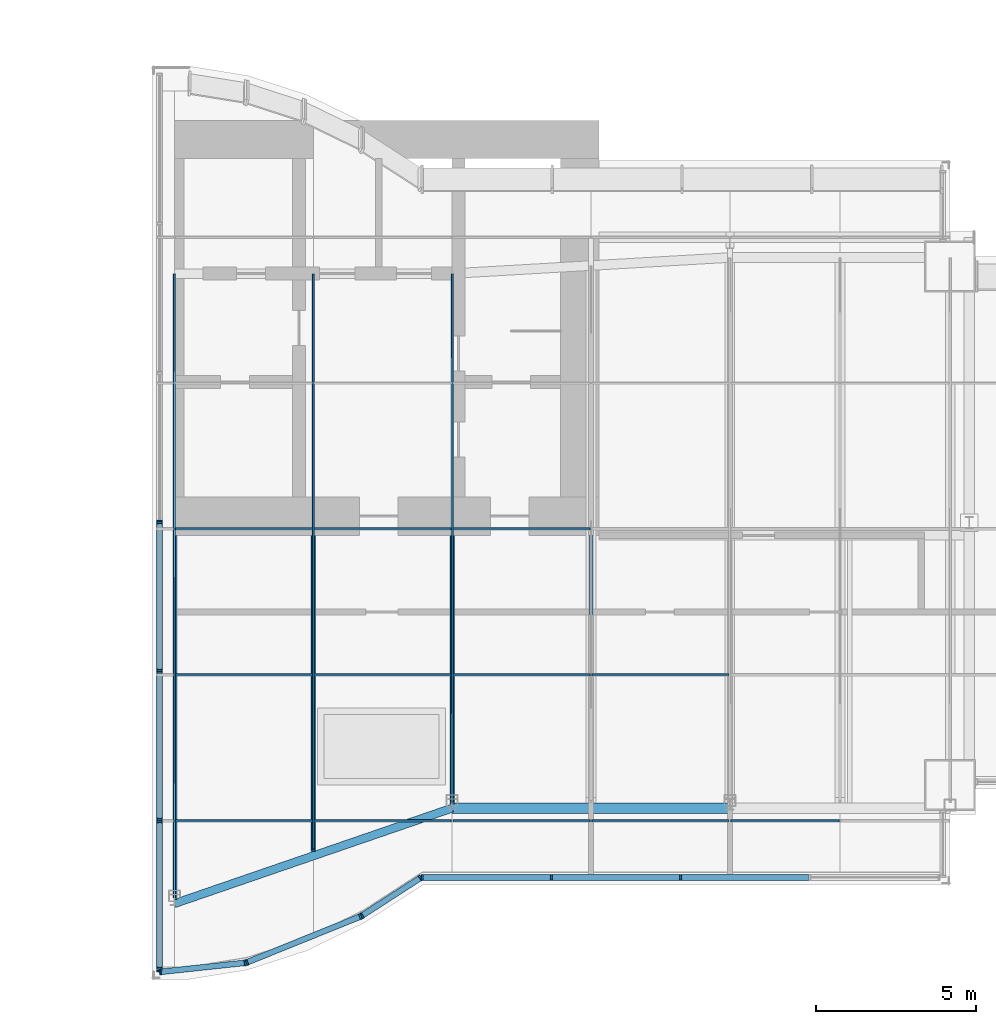
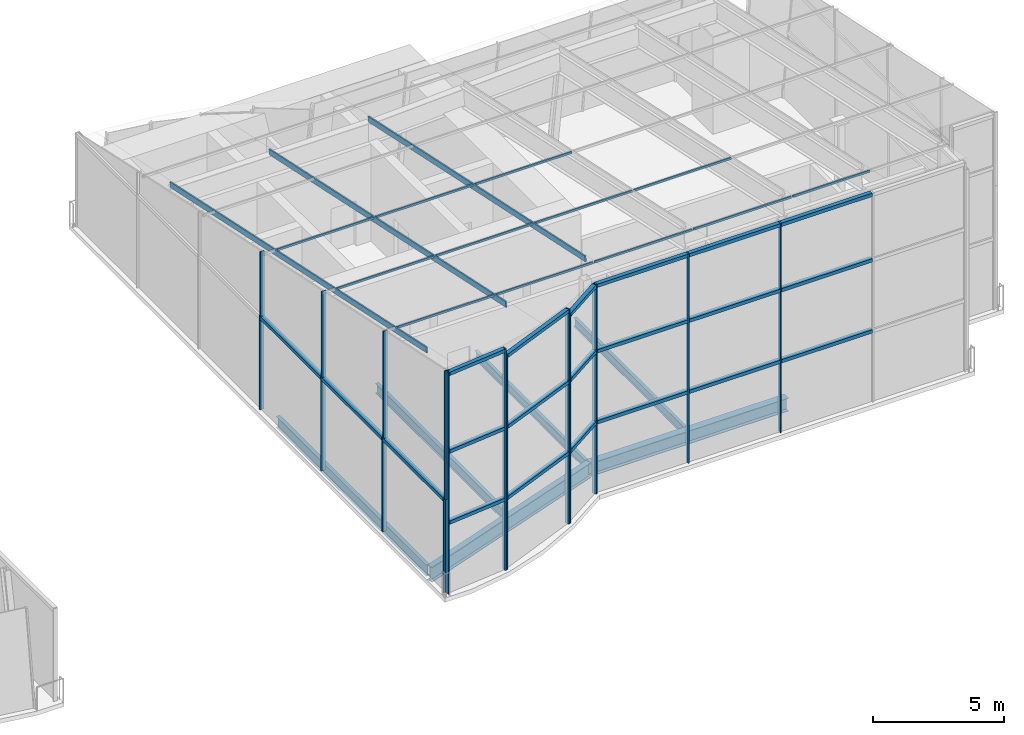
# One storey, part 5 of 17: 53 members, 6 beams, 5 elements without a shape of their own.
"""IFC4 building model written with IfcOpenShell, lengths in metres."""

from ifc_helpers import new_model, si_unit, direction, frame, origin, origin_2d, place, context, subcontext, project, spatial, rectangle, i_section, extrude, material, material_profile, profile_set, type_object, element, aggregate, save


model = new_model("IFC4")

# Units and contexts
model_context = context("Model", 3, precision=1e-05, world=origin(), true_north=direction((0.0, 1.0)))
body_context = subcontext(model_context, "Body", "Model", "MODEL_VIEW")
ifc_project = project(units=[si_unit("LENGTHUNIT", "METRE"), si_unit("AREAUNIT", "SQUARE_METRE"), si_unit("VOLUMEUNIT", "CUBIC_METRE"), si_unit("PLANEANGLEUNIT", "RADIAN"), si_unit("MASSUNIT", "GRAM", prefix="KILO")], contexts=[model_context])

# Site, building, storey
site_placement = place(None, origin())
site = spatial("IfcSite", under=ifc_project, at=site_placement, CompositionType="ELEMENT")
building_placement = place(site_placement, origin())
building = spatial("IfcBuilding", under=site, at=building_placement, Name="Bicima Exchange Tower", CompositionType="ELEMENT")
storey_placement = place(building_placement, frame((0.0, 0.0, 356.89990234375)))
storey = spatial("IfcBuildingStorey", under=building, at=storey_placement, Name="L80", CompositionType="ELEMENT", Elevation=356.89990234375)

# Curtain wall, members
ifc_material_1 = material(Name="Anodised bronze aluminium", Category="aluminium")
curtain_wall_type = type_object("IfcCurtainWallType", Name="Crown glass wall", PredefinedType="NOTDEFINED", material=ifc_material_1)
curtain_wall_1_placement = place(storey_placement, origin())
curtain_wall_1 = element("IfcCurtainWall", 1, at=curtain_wall_1_placement, inside=storey, type_object=curtain_wall_type, Name="Crown glass wall L80 run 8", PredefinedType="NOTDEFINED")
ifc_material_profile_1 = material_profile(ifc_material_1, rectangle(XDim=0.179931640625, YDim=0.06005859375, at=origin_2d()))
ifc_profile_set_1 = profile_set([ifc_material_profile_1], Name="Anodised bronze aluminium")
member_type_1 = type_object("IfcMemberType", Name="Crown glass wall mullion 60 x 180", PredefinedType="MULLION", material=ifc_profile_set_1)
member_1_placement = place(storey_placement, frame((8.22998046875, -12.559326171875, 0.0), z_axis=(0.0, 0.0, 1.0), x_axis=(1.0, 0.0, 0.0)))
member_1 = element("IfcMember", 2, at=member_1_placement, type_object=member_type_1, Name="Crown glass wall mullion 4", PredefinedType="MULLION", context=body_context, shape_type="SweptSolid", body=[
    extrude(rectangle(XDim=0.179931640625, YDim=0.06005859375, at=origin_2d()), origin(), (0.0, 0.0, 1.0), 4.36962890625),
])
member_2_placement = place(storey_placement, frame((8.22998046875, -17.225341796875, 0.0), z_axis=(0.0, 0.0, 1.0), x_axis=(1.0, 0.0, 0.0)))
member_2 = element("IfcMember", 3, at=member_2_placement, type_object=member_type_1, Name="Crown glass wall mullion 5", PredefinedType="MULLION", context=body_context, shape_type="SweptSolid", body=[
    extrude(rectangle(XDim=0.179931640625, YDim=0.06005859375, at=origin_2d()), origin(), (0.0, 0.0, 1.0), 4.36962890625),
])
member_3_placement = place(storey_placement, frame((8.22998046875, -21.89111328125, 0.0), z_axis=(0.0, 0.0, 1.0), x_axis=(1.0, 0.0, 0.0)))
member_3 = element("IfcMember", 4, at=member_3_placement, type_object=member_type_1, Name="Crown glass wall mullion 6", PredefinedType="MULLION", context=body_context, shape_type="SweptSolid", body=[
    extrude(rectangle(XDim=0.179931640625, YDim=0.06005859375, at=origin_2d()), origin(), (0.0, 0.0, 1.0), 4.36962890625),
])
member_4_placement = place(storey_placement, frame((8.22998046875, -26.556884765625, 0.0), z_axis=(0.0, 0.0, 1.0), x_axis=(1.0, 0.0, 0.0)))
member_4 = element("IfcMember", 5, at=member_4_placement, type_object=member_type_1, Name="Crown glass wall mullion 7", PredefinedType="MULLION", context=body_context, shape_type="SweptSolid", body=[
    extrude(rectangle(XDim=0.179931640625, YDim=0.06005859375, at=origin_2d()), origin(), (0.0, 0.0, 1.0), 4.36962890625),
])

curtain_wall_2_placement = place(storey_placement, origin())
curtain_wall_2 = element("IfcCurtainWall", 6, at=curtain_wall_2_placement, inside=storey, type_object=curtain_wall_type, Name="Crown glass wall L80 run 9", PredefinedType="NOTDEFINED")
member_5_placement = place(storey_placement, frame((8.259765625, -26.673828125, 0.0), z_axis=(0.0, 0.0, 1.0), x_axis=(-0.106371668434, 0.994326439433, 0.0)))
member_5 = element("IfcMember", 7, at=member_5_placement, type_object=member_type_1, Name="Crown glass wall mullion 1", PredefinedType="MULLION", context=body_context, shape_type="SweptSolid", body=[
    extrude(rectangle(XDim=0.179931640625, YDim=0.06005859375, at=origin_2d()), origin(), (0.0, 0.0, 1.0), 10.290283203125),
])
member_6_placement = place(storey_placement, frame((10.916015625, -26.3896484375, 0.0), z_axis=(0.0, 0.0, 1.0), x_axis=(-0.106371668434, 0.994326439433, 0.0)))
member_6 = element("IfcMember", 8, at=member_6_placement, type_object=member_type_1, Name="Crown glass wall mullion 2", PredefinedType="MULLION", context=body_context, shape_type="SweptSolid", body=[
    extrude(rectangle(XDim=0.179931640625, YDim=0.06005859375, at=origin_2d()), origin(), (0.0, 0.0, 1.0), 10.290283203125),
])
member_7_placement = place(storey_placement, frame((10.973876953125, -26.375244140625, 0.0), z_axis=(0.0, 0.0, 1.0), x_axis=(-0.374705304, 0.92714396679, 0.0)))
member_7 = element("IfcMember", 9, at=member_7_placement, type_object=member_type_1, Name="Crown glass wall mullion 1", PredefinedType="MULLION", context=body_context, shape_type="SweptSolid", body=[
    extrude(rectangle(XDim=0.179931640625, YDim=0.06005859375, at=origin_2d()), origin(), (0.0, 0.0, 1.0), 9.980224609375),
])
member_8_placement = place(storey_placement, frame((14.52587890625, -24.939697265625, 0.0), z_axis=(0.0, 0.0, 1.0), x_axis=(-0.374705304, 0.92714396679, 0.0)))
member_8 = element("IfcMember", 10, at=member_8_placement, type_object=member_type_1, Name="Crown glass wall mullion 2", PredefinedType="MULLION", context=body_context, shape_type="SweptSolid", body=[
    extrude(rectangle(XDim=0.179931640625, YDim=0.06005859375, at=origin_2d()), origin(), (0.0, 0.0, 1.0), 9.980224609375),
])
member_9_placement = place(storey_placement, frame((14.578857421875, -24.912109375, 0.0), z_axis=(0.0, 0.0, 1.0), x_axis=(-0.542910648791, 0.839790466384, 0.0)))
member_9 = element("IfcMember", 11, at=member_9_placement, type_object=member_type_1, Name="Crown glass wall mullion 1", PredefinedType="MULLION", context=body_context, shape_type="SweptSolid", body=[
    extrude(rectangle(XDim=0.179931640625, YDim=0.06005859375, at=origin_2d()), origin(), (0.0, 0.0, 1.0), 9.72216796875),
])
member_10_placement = place(storey_placement, frame((16.406982421875, -23.730224609375, 0.0), z_axis=(0.0, 0.0, 1.0), x_axis=(-0.542910648791, 0.839790466384, 0.0)))
member_10 = element("IfcMember", 12, at=member_10_placement, type_object=member_type_1, Name="Crown glass wall mullion 2", PredefinedType="MULLION", context=body_context, shape_type="SweptSolid", body=[
    extrude(rectangle(XDim=0.179931640625, YDim=0.06005859375, at=origin_2d()), origin(), (0.0, 0.0, 1.0), 9.72216796875),
])

curtain_wall_3_placement = place(storey_placement, origin())
curtain_wall_3 = element("IfcCurtainWall", 13, at=curtain_wall_3_placement, inside=storey, type_object=curtain_wall_type, Name="Crown glass wall L80 run 12", PredefinedType="NOTDEFINED")
member_11_placement = place(storey_placement, frame((16.462158203125, -23.714111328125, 0.0), z_axis=(0.0, 0.0, 1.0), x_axis=(0.0, 1.0, 0.0)))
member_11 = element("IfcMember", 14, at=member_11_placement, type_object=member_type_1, Name="Crown glass wall mullion 1", PredefinedType="MULLION", context=body_context, shape_type="SweptSolid", body=[
    extrude(rectangle(XDim=0.179931640625, YDim=0.06005859375, at=origin_2d()), origin(), (0.0, 0.0, 1.0), 9.72216796875),
])
member_12_placement = place(storey_placement, frame((20.509033203125, -23.714111328125, 0.0), z_axis=(0.0, 0.0, 1.0), x_axis=(0.0, 1.0, 0.0)))
member_12 = element("IfcMember", 15, at=member_12_placement, type_object=member_type_1, Name="Crown glass wall mullion 2", PredefinedType="MULLION", context=body_context, shape_type="SweptSolid", body=[
    extrude(rectangle(XDim=0.179931640625, YDim=0.06005859375, at=origin_2d()), origin(), (0.0, 0.0, 1.0), 9.72216796875),
])
member_13_placement = place(storey_placement, frame((24.55615234375, -23.714111328125, 0.0), z_axis=(0.0, 0.0, 1.0), x_axis=(0.0, 1.0, 0.0)))
member_13 = element("IfcMember", 16, at=member_13_placement, type_object=member_type_1, Name="Crown glass wall mullion 3", PredefinedType="MULLION", context=body_context, shape_type="SweptSolid", body=[
    extrude(rectangle(XDim=0.179931640625, YDim=0.06005859375, at=origin_2d()), origin(), (0.0, 0.0, 1.0), 9.72216796875),
])

curtain_wall_4_placement = place(storey_placement, origin())
curtain_wall_4 = element("IfcCurtainWall", 17, at=curtain_wall_4_placement, inside=storey, type_object=curtain_wall_type, Name="Gable glazing east 8", PredefinedType="NOTDEFINED")
member_14_placement = place(storey_placement, frame((8.22998046875, -12.6044921875, 4.36962890625), z_axis=(0.0, 0.0, 1.0), x_axis=(1.0, 0.0, 0.0)))
member_14 = element("IfcMember", 18, at=member_14_placement, type_object=member_type_1, Name="Gable glazing mullion 4", PredefinedType="MULLION", context=body_context, shape_type="SweptSolid", body=[
    extrude(rectangle(XDim=0.179931640625, YDim=0.06005859375, at=origin_2d()), origin(), (0.0, 0.0, 1.0), 2.9912109375),
])
member_15_placement = place(storey_placement, frame((8.22998046875, -17.285400390625, 4.36962890625), z_axis=(0.0, 0.0, 1.0), x_axis=(1.0, 0.0, 0.0)))
member_15 = element("IfcMember", 19, at=member_15_placement, type_object=member_type_1, Name="Gable glazing mullion 5", PredefinedType="MULLION", context=body_context, shape_type="SweptSolid", body=[
    extrude(rectangle(XDim=0.179931640625, YDim=0.06005859375, at=origin_2d()), origin(), (0.0, 0.0, 1.0), 3.986083984375),
])
member_16_placement = place(storey_placement, frame((8.22998046875, -21.96630859375, 4.36962890625), z_axis=(0.0, 0.0, 1.0), x_axis=(1.0, 0.0, 0.0)))
member_16 = element("IfcMember", 20, at=member_16_placement, type_object=member_type_1, Name="Gable glazing mullion 6", PredefinedType="MULLION", context=body_context, shape_type="SweptSolid", body=[
    extrude(rectangle(XDim=0.179931640625, YDim=0.06005859375, at=origin_2d()), origin(), (0.0, 0.0, 1.0), 4.98095703125),
])
member_17_placement = place(storey_placement, frame((8.22998046875, -26.64697265625, 4.36962890625), z_axis=(0.0, 0.0, 1.0), x_axis=(1.0, 0.0, 0.0)))
member_17 = element("IfcMember", 21, at=member_17_placement, type_object=member_type_1, Name="Gable glazing mullion 7", PredefinedType="MULLION", context=body_context, shape_type="SweptSolid", body=[
    extrude(rectangle(XDim=0.179931640625, YDim=0.06005859375, at=origin_2d()), origin(), (0.0, 0.0, 1.0), 5.97607421875),
])
aggregate(curtain_wall_4, [member_14, member_15, member_16, member_17])

# Member
ifc_material_profile_2 = material_profile(ifc_material_1, rectangle(XDim=0.179931640625, YDim=0.159912109375, at=origin_2d()))
ifc_profile_set_2 = profile_set([ifc_material_profile_2], Name="Anodised bronze aluminium")
member_type_2 = type_object("IfcMemberType", Name="Crown glass wall transom 160 x 180", PredefinedType="USERDEFINED", material=ifc_profile_set_2)
member_18_placement = place(storey_placement, frame((8.22998046875, -12.58935546875, 4.28955078125), z_axis=(0.0, -1.0, 0.0), x_axis=(1.0, 0.0, 0.0)))
member_18 = element("IfcMember", 22, at=member_18_placement, type_object=member_type_2, Name="Crown glass wall transom 4.1", ObjectType="TRANSOM", PredefinedType="USERDEFINED", context=body_context, shape_type="SweptSolid", body=[
    extrude(rectangle(XDim=0.179931640625, YDim=0.159912109375, at=origin_2d()), origin(), (0.0, 0.0, 1.0), 4.60595703125),
])

member_19_placement = place(storey_placement, frame((8.22998046875, -17.25537109375, 4.28955078125), z_axis=(0.0, -1.0, 0.0), x_axis=(1.0, 0.0, 0.0)))
member_19 = element("IfcMember", 23, at=member_19_placement, type_object=member_type_2, Name="Crown glass wall transom 5.1", ObjectType="TRANSOM", PredefinedType="USERDEFINED", context=body_context, shape_type="SweptSolid", body=[
    extrude(rectangle(XDim=0.179931640625, YDim=0.159912109375, at=origin_2d()), origin(), (0.0, 0.0, 1.0), 4.605712890625),
])

member_20_placement = place(storey_placement, frame((8.22998046875, -21.921142578125, 4.28955078125), z_axis=(0.0, -1.0, 0.0), x_axis=(1.0, 0.0, 0.0)))
member_20 = element("IfcMember", 24, at=member_20_placement, type_object=member_type_2, Name="Crown glass wall transom 6.1", ObjectType="TRANSOM", PredefinedType="USERDEFINED", context=body_context, shape_type="SweptSolid", body=[
    extrude(rectangle(XDim=0.179931640625, YDim=0.159912109375, at=origin_2d()), origin(), (0.0, 0.0, 1.0), 4.60595703125),
])

aggregate(curtain_wall_1, [member_1, member_2, member_3, member_4, member_18, member_19, member_20])

member_21_placement = place(storey_placement, frame((8.289794921875, -26.670654296875, 3.300048828125), z_axis=(0.994323646517, 0.106397772425, 0.0), x_axis=(-0.106397772425, 0.994323646517, 0.0)))
member_21 = element("IfcMember", 25, at=member_21_placement, type_object=member_type_2, Name="Crown glass wall transom 1.1", ObjectType="TRANSOM", PredefinedType="USERDEFINED", context=body_context, shape_type="SweptSolid", body=[
    extrude(rectangle(XDim=0.179931640625, YDim=0.159912109375, at=origin_2d()), origin(), (0.0, 0.0, 1.0), 2.611328125),
])

member_22_placement = place(storey_placement, frame((8.289794921875, -26.670654296875, 6.60009765625), z_axis=(0.994323646517, 0.106397772425, 0.0), x_axis=(-0.106397772425, 0.994323646517, 0.0)))
member_22 = element("IfcMember", 26, at=member_22_placement, type_object=member_type_2, Name="Crown glass wall transom 1.2", ObjectType="TRANSOM", PredefinedType="USERDEFINED", context=body_context, shape_type="SweptSolid", body=[
    extrude(rectangle(XDim=0.179931640625, YDim=0.159912109375, at=origin_2d()), origin(), (0.0, 0.0, 1.0), 2.611328125),
])

member_23_placement = place(storey_placement, frame((8.289794921875, -26.670654296875, 10.210205078125), z_axis=(0.994323646517, 0.106397772425, 0.0), x_axis=(-0.106397772425, 0.994323646517, 0.0)))
member_23 = element("IfcMember", 27, at=member_23_placement, type_object=member_type_2, Name="Crown glass wall transom 1.3", ObjectType="TRANSOM", PredefinedType="USERDEFINED", context=body_context, shape_type="SweptSolid", body=[
    extrude(rectangle(XDim=0.179931640625, YDim=0.159912109375, at=origin_2d()), origin(), (0.0, 0.0, 1.0), 2.611328125),
])

member_24_placement = place(storey_placement, frame((11.001708984375, -26.364013671875, 3.300048828125), z_axis=(0.927140215882, 0.374714584842, 0.0), x_axis=(-0.374714584842, 0.927140215882, 0.0)))
member_24 = element("IfcMember", 28, at=member_24_placement, type_object=member_type_2, Name="Crown glass wall transom 1.1", ObjectType="TRANSOM", PredefinedType="USERDEFINED", context=body_context, shape_type="SweptSolid", body=[
    extrude(rectangle(XDim=0.179931640625, YDim=0.159912109375, at=origin_2d()), origin(), (0.0, 0.0, 1.0), 3.77099609375),
])

member_25_placement = place(storey_placement, frame((11.001708984375, -26.364013671875, 6.60009765625), z_axis=(0.927140215882, 0.374714584842, 0.0), x_axis=(-0.374714584842, 0.927140215882, 0.0)))
member_25 = element("IfcMember", 29, at=member_25_placement, type_object=member_type_2, Name="Crown glass wall transom 1.2", ObjectType="TRANSOM", PredefinedType="USERDEFINED", context=body_context, shape_type="SweptSolid", body=[
    extrude(rectangle(XDim=0.179931640625, YDim=0.159912109375, at=origin_2d()), origin(), (0.0, 0.0, 1.0), 3.77099609375),
])

member_26_placement = place(storey_placement, frame((11.001708984375, -26.364013671875, 9.900390625), z_axis=(0.927140215882, 0.374714584842, 0.0), x_axis=(-0.374714584842, 0.927140215882, 0.0)))
member_26 = element("IfcMember", 30, at=member_26_placement, type_object=member_type_2, Name="Crown glass wall transom 1.3", ObjectType="TRANSOM", PredefinedType="USERDEFINED", context=body_context, shape_type="SweptSolid", body=[
    extrude(rectangle(XDim=0.179931640625, YDim=0.159912109375, at=origin_2d()), origin(), (0.0, 0.0, 1.0), 3.77099609375),
])

member_27_placement = place(storey_placement, frame((14.60400390625, -24.895751953125, 3.300048828125), z_axis=(0.839792890287, 0.542906899407, 0.0), x_axis=(-0.542906899407, 0.839792890287, 0.0)))
member_27 = element("IfcMember", 31, at=member_27_placement, type_object=member_type_2, Name="Crown glass wall transom 1.1", ObjectType="TRANSOM", PredefinedType="USERDEFINED", context=body_context, shape_type="SweptSolid", body=[
    extrude(rectangle(XDim=0.179931640625, YDim=0.159912109375, at=origin_2d()), origin(), (0.0, 0.0, 1.0), 2.11669921875),
])

member_28_placement = place(storey_placement, frame((14.60400390625, -24.895751953125, 6.60009765625), z_axis=(0.839792890287, 0.542906899407, 0.0), x_axis=(-0.542906899407, 0.839792890287, 0.0)))
member_28 = element("IfcMember", 32, at=member_28_placement, type_object=member_type_2, Name="Crown glass wall transom 1.2", ObjectType="TRANSOM", PredefinedType="USERDEFINED", context=body_context, shape_type="SweptSolid", body=[
    extrude(rectangle(XDim=0.179931640625, YDim=0.159912109375, at=origin_2d()), origin(), (0.0, 0.0, 1.0), 2.11669921875),
])

member_29_placement = place(storey_placement, frame((14.60400390625, -24.895751953125, 9.64208984375), z_axis=(0.839792890287, 0.542906899407, 0.0), x_axis=(-0.542906899407, 0.839792890287, 0.0)))
member_29 = element("IfcMember", 33, at=member_29_placement, type_object=member_type_2, Name="Crown glass wall transom 1.3", ObjectType="TRANSOM", PredefinedType="USERDEFINED", context=body_context, shape_type="SweptSolid", body=[
    extrude(rectangle(XDim=0.179931640625, YDim=0.159912109375, at=origin_2d()), origin(), (0.0, 0.0, 1.0), 2.11669921875),
])

aggregate(curtain_wall_2, [member_5, member_6, member_21, member_22, member_23, member_7, member_8, member_24, member_25, member_26, member_9, member_10, member_27, member_28, member_29])

member_30_placement = place(storey_placement, frame((16.4921875, -23.714111328125, 3.300048828125), z_axis=(1.0, 0.0, 0.0), x_axis=(0.0, 1.0, 0.0)))
member_30 = element("IfcMember", 34, at=member_30_placement, type_object=member_type_2, Name="Crown glass wall transom 1.1", ObjectType="TRANSOM", PredefinedType="USERDEFINED", context=body_context, shape_type="SweptSolid", body=[
    extrude(rectangle(XDim=0.179931640625, YDim=0.159912109375, at=origin_2d()), origin(), (0.0, 0.0, 1.0), 3.98681640625),
])

member_31_placement = place(storey_placement, frame((16.4921875, -23.714111328125, 6.60009765625), z_axis=(1.0, 0.0, 0.0), x_axis=(0.0, 1.0, 0.0)))
member_31 = element("IfcMember", 35, at=member_31_placement, type_object=member_type_2, Name="Crown glass wall transom 1.2", ObjectType="TRANSOM", PredefinedType="USERDEFINED", context=body_context, shape_type="SweptSolid", body=[
    extrude(rectangle(XDim=0.179931640625, YDim=0.159912109375, at=origin_2d()), origin(), (0.0, 0.0, 1.0), 3.98681640625),
])

member_32_placement = place(storey_placement, frame((16.4921875, -23.714111328125, 9.64208984375), z_axis=(1.0, 0.0, 0.0), x_axis=(0.0, 1.0, 0.0)))
member_32 = element("IfcMember", 36, at=member_32_placement, type_object=member_type_2, Name="Crown glass wall transom 1.3", ObjectType="TRANSOM", PredefinedType="USERDEFINED", context=body_context, shape_type="SweptSolid", body=[
    extrude(rectangle(XDim=0.179931640625, YDim=0.159912109375, at=origin_2d()), origin(), (0.0, 0.0, 1.0), 3.98681640625),
])

member_33_placement = place(storey_placement, frame((20.5390625, -23.714111328125, 3.300048828125), z_axis=(1.0, 0.0, 0.0), x_axis=(0.0, 1.0, 0.0)))
member_33 = element("IfcMember", 37, at=member_33_placement, type_object=member_type_2, Name="Crown glass wall transom 2.1", ObjectType="TRANSOM", PredefinedType="USERDEFINED", context=body_context, shape_type="SweptSolid", body=[
    extrude(rectangle(XDim=0.179931640625, YDim=0.159912109375, at=origin_2d()), origin(), (0.0, 0.0, 1.0), 3.987060546875),
])

member_34_placement = place(storey_placement, frame((20.5390625, -23.714111328125, 6.60009765625), z_axis=(1.0, 0.0, 0.0), x_axis=(0.0, 1.0, 0.0)))
member_34 = element("IfcMember", 38, at=member_34_placement, type_object=member_type_2, Name="Crown glass wall transom 2.2", ObjectType="TRANSOM", PredefinedType="USERDEFINED", context=body_context, shape_type="SweptSolid", body=[
    extrude(rectangle(XDim=0.179931640625, YDim=0.159912109375, at=origin_2d()), origin(), (0.0, 0.0, 1.0), 3.987060546875),
])

member_35_placement = place(storey_placement, frame((20.5390625, -23.714111328125, 9.64208984375), z_axis=(1.0, 0.0, 0.0), x_axis=(0.0, 1.0, 0.0)))
member_35 = element("IfcMember", 39, at=member_35_placement, type_object=member_type_2, Name="Crown glass wall transom 2.3", ObjectType="TRANSOM", PredefinedType="USERDEFINED", context=body_context, shape_type="SweptSolid", body=[
    extrude(rectangle(XDim=0.179931640625, YDim=0.159912109375, at=origin_2d()), origin(), (0.0, 0.0, 1.0), 3.987060546875),
])

member_36_placement = place(storey_placement, frame((24.586181640625, -23.714111328125, 3.300048828125), z_axis=(1.0, 0.0, 0.0), x_axis=(0.0, 1.0, 0.0)))
member_36 = element("IfcMember", 40, at=member_36_placement, type_object=member_type_2, Name="Crown glass wall transom 3.1", ObjectType="TRANSOM", PredefinedType="USERDEFINED", context=body_context, shape_type="SweptSolid", body=[
    extrude(rectangle(XDim=0.179931640625, YDim=0.159912109375, at=origin_2d()), origin(), (0.0, 0.0, 1.0), 3.98681640625),
])

member_37_placement = place(storey_placement, frame((24.586181640625, -23.714111328125, 6.60009765625), z_axis=(1.0, 0.0, 0.0), x_axis=(0.0, 1.0, 0.0)))
member_37 = element("IfcMember", 41, at=member_37_placement, type_object=member_type_2, Name="Crown glass wall transom 3.2", ObjectType="TRANSOM", PredefinedType="USERDEFINED", context=body_context, shape_type="SweptSolid", body=[
    extrude(rectangle(XDim=0.179931640625, YDim=0.159912109375, at=origin_2d()), origin(), (0.0, 0.0, 1.0), 3.98681640625),
])

member_38_placement = place(storey_placement, frame((24.586181640625, -23.714111328125, 9.64208984375), z_axis=(1.0, 0.0, 0.0), x_axis=(0.0, 1.0, 0.0)))
member_38 = element("IfcMember", 42, at=member_38_placement, type_object=member_type_2, Name="Crown glass wall transom 3.3", ObjectType="TRANSOM", PredefinedType="USERDEFINED", context=body_context, shape_type="SweptSolid", body=[
    extrude(rectangle(XDim=0.179931640625, YDim=0.159912109375, at=origin_2d()), origin(), (0.0, 0.0, 1.0), 3.98681640625),
])

aggregate(curtain_wall_3, [member_11, member_12, member_13, member_30, member_31, member_32, member_33, member_34, member_35, member_36, member_37, member_38])

# Beams
ifc_material_2 = material(Name="Steel ASTM A992 Gr 50", Category="steel")
ifc_material_profile_3 = material_profile(ifc_material_2, i_section(OverallWidth=0.140380859375, OverallDepth=0.40380859375, WebThickness=0.007080078125, FlangeThickness=0.01123046875, at=origin_2d()))
ifc_profile_set_3 = profile_set([ifc_material_profile_3], Name="Steel ASTM A992 Gr 50")
beam_type_1 = type_object("IfcBeamType", Name="Floor beam W16x31", PredefinedType="JOIST", material=ifc_profile_set_3)
beam_1_placement = place(storey_placement, frame((17.39990234375, -13.0, -0.40185546875), z_axis=(0.0, -1.0, 0.0), x_axis=(1.0, 0.0, 0.0)))
element("IfcBeam", 43, at=beam_1_placement, inside=storey, type_object=beam_type_1, Name="Floor beam", PredefinedType="JOIST", context=body_context, shape_type="SweptSolid", body=[
    extrude(i_section(OverallWidth=0.140380859375, OverallDepth=0.40380859375, WebThickness=0.007080078125, FlangeThickness=0.01123046875, at=origin_2d()), origin(), (0.0, 0.0, 1.0), 8.408447265625),
])
beam_2_placement = place(storey_placement, frame((21.75, -13.0, -0.40185546875), z_axis=(0.0, -1.0, 0.0), x_axis=(1.0, 0.0, 0.0)))
element("IfcBeam", 44, at=beam_2_placement, inside=storey, type_object=beam_type_1, Name="Floor beam", PredefinedType="JOIST", context=body_context, shape_type="SweptSolid", body=[
    extrude(i_section(OverallWidth=0.140380859375, OverallDepth=0.40380859375, WebThickness=0.007080078125, FlangeThickness=0.01123046875, at=origin_2d()), origin(), (0.0, 0.0, 1.0), 8.38134765625),
])
ifc_material_profile_4 = material_profile(ifc_material_2, i_section(OverallWidth=0.15283203125, OverallDepth=0.45458984375, WebThickness=0.008056640625, FlangeThickness=0.013427734375, at=origin_2d()))
ifc_profile_set_4 = profile_set([ifc_material_profile_4], Name="Steel ASTM A992 Gr 50")
beam_type_2 = type_object("IfcBeamType", Name="Floor beam W18x40", PredefinedType="JOIST", material=ifc_profile_set_4)
beam_3_placement = place(storey_placement, frame((13.050048828125, -13.0, -0.42724609375), z_axis=(0.0, -1.0, 0.0), x_axis=(1.0, 0.0, 0.0)))
element("IfcBeam", 45, at=beam_3_placement, inside=storey, type_object=beam_type_2, Name="Floor beam", PredefinedType="JOIST", context=body_context, shape_type="SweptSolid", body=[
    extrude(i_section(OverallWidth=0.15283203125, OverallDepth=0.45458984375, WebThickness=0.008056640625, FlangeThickness=0.013427734375, at=origin_2d()), origin(), (0.0, 0.0, 1.0), 9.90380859375),
])
ifc_material_profile_5 = material_profile(ifc_material_2, i_section(OverallWidth=0.165771484375, OverallDepth=0.5283203125, WebThickness=0.009765625, FlangeThickness=0.013671875, at=origin_2d()))
ifc_profile_set_5 = profile_set([ifc_material_profile_5], Name="Steel ASTM A992 Gr 50")
beam_type_3 = type_object("IfcBeamType", Name="Floor beam W21x50", PredefinedType="JOIST", material=ifc_profile_set_5)
beam_4_placement = place(storey_placement, frame((8.699951171875, -13.0, -0.464111328125), z_axis=(0.0, -1.0, 0.0), x_axis=(1.0, 0.0, 0.0)))
element("IfcBeam", 46, at=beam_4_placement, inside=storey, type_object=beam_type_3, Name="Floor beam", PredefinedType="JOIST", context=body_context, shape_type="SweptSolid", body=[
    extrude(i_section(OverallWidth=0.165771484375, OverallDepth=0.5283203125, WebThickness=0.009765625, FlangeThickness=0.013671875, at=origin_2d()), origin(), (0.0, 0.0, 1.0), 11.3994140625),
])
ifc_material_profile_6 = material_profile(ifc_material_2, i_section(OverallWidth=0.3251953125, OverallDepth=0.612060546875, WebThickness=0.0126953125, FlangeThickness=0.01904296875, at=origin_2d()))
ifc_profile_set_6 = profile_set([ifc_material_profile_6], Name="Steel ASTM A992 Gr 50")
beam_type_4 = type_object("IfcBeamType", Name="Front girder W24x104", PredefinedType="BEAM", material=ifc_profile_set_6)
beam_5_placement = place(storey_placement, frame((17.39990234375, -21.5439453125, -0.506103515625), z_axis=(1.0, 0.0, 0.0), x_axis=(0.0, 1.0, 0.0)))
element("IfcBeam", 47, at=beam_5_placement, inside=storey, type_object=beam_type_4, Name="Front girder", PredefinedType="BEAM", context=body_context, shape_type="SweptSolid", body=[
    extrude(i_section(OverallWidth=0.3251953125, OverallDepth=0.612060546875, WebThickness=0.0126953125, FlangeThickness=0.01904296875, at=origin_2d()), origin(), (0.0, 0.0, 1.0), 8.7001953125),
])
ifc_material_profile_7 = material_profile(ifc_material_2, i_section(OverallWidth=0.256591796875, OverallDepth=0.693359375, WebThickness=0.014404296875, FlangeThickness=0.023681640625, at=origin_2d()))
ifc_profile_set_7 = profile_set([ifc_material_profile_7], Name="Steel ASTM A992 Gr 50")
beam_type_5 = type_object("IfcBeamType", Name="Front girder W27x114", PredefinedType="BEAM", material=ifc_profile_set_7)
beam_6_placement = place(storey_placement, frame((8.699951171875, -24.53515625, -0.546630859375), z_axis=(0.945666456746, 0.325138359143, 0.0), x_axis=(-0.325138359143, 0.945666456746, 0.0)))
element("IfcBeam", 48, at=beam_6_placement, inside=storey, type_object=beam_type_5, Name="Front girder", PredefinedType="BEAM", context=body_context, shape_type="SweptSolid", body=[
    extrude(i_section(OverallWidth=0.256591796875, OverallDepth=0.693359375, WebThickness=0.014404296875, FlangeThickness=0.023681640625, at=origin_2d()), origin(), (0.0, 0.0, 1.0), 9.19970703125),
])

# Curtain wall, members
curtain_wall_5_placement = place(storey_placement, origin())
curtain_wall_5 = element("IfcCurtainWall", 49, at=curtain_wall_5_placement, inside=storey, type_object=curtain_wall_type, Name="Roof glazing east", PredefinedType="NOTDEFINED")
ifc_material_profile_8 = material_profile(ifc_material_1, rectangle(XDim=0.06005859375, YDim=0.248291015625, at=origin_2d()))
ifc_profile_set_8 = profile_set([ifc_material_profile_8], Name="Anodised bronze aluminium")
member_type_3 = type_object("IfcMemberType", Name="Roof glazing bar 60 x 248", PredefinedType="USERDEFINED", material=ifc_profile_set_8)
member_39_placement = place(storey_placement, frame((8.699951171875, -4.8349609375, 5.574951171875), z_axis=(0.0, -0.978146238011, 0.207918101823), x_axis=(1.0, 0.0, 0.0)))
member_39 = element("IfcMember", 50, at=member_39_placement, type_object=member_type_3, Name="Roof glazing bar east rafter 1", ObjectType="GLAZING BAR", PredefinedType="USERDEFINED", context=body_context, shape_type="SweptSolid", body=[
    extrude(rectangle(XDim=0.06005859375, YDim=0.248291015625, at=origin_2d()), origin(), (0.0, 0.0, 1.0), 19.926513671875),
])
member_40_placement = place(storey_placement, frame((13.050048828125, -4.8349609375, 5.574951171875), z_axis=(0.0, -0.978149069261, 0.207904781822), x_axis=(1.0, 0.0, 0.0)))
member_40 = element("IfcMember", 51, at=member_40_placement, type_object=member_type_3, Name="Roof glazing bar east rafter 2", ObjectType="GLAZING BAR", PredefinedType="USERDEFINED", context=body_context, shape_type="SweptSolid", body=[
    extrude(rectangle(XDim=0.06005859375, YDim=0.248291015625, at=origin_2d()), origin(), (0.0, 0.0, 1.0), 18.397705078125),
])
member_41_placement = place(storey_placement, frame((17.39990234375, -4.8349609375, 5.574951171875), z_axis=(0.0, -0.978148844771, 0.207905837996), x_axis=(1.0, 0.0, 0.0)))
member_41 = element("IfcMember", 52, at=member_41_placement, type_object=member_type_3, Name="Roof glazing bar east rafter 3", ObjectType="GLAZING BAR", PredefinedType="USERDEFINED", context=body_context, shape_type="SweptSolid", body=[
    extrude(rectangle(XDim=0.06005859375, YDim=0.248291015625, at=origin_2d()), origin(), (0.0, 0.0, 1.0), 16.86865234375),
])
ifc_material_profile_9 = material_profile(ifc_material_1, rectangle(XDim=0.06005859375, YDim=0.090087890625, at=origin_2d()))
ifc_profile_set_9 = profile_set([ifc_material_profile_9], Name="Anodised bronze aluminium")
member_type_4 = type_object("IfcMemberType", Name="Roof glazing bar 60 x 90", PredefinedType="USERDEFINED", material=ifc_profile_set_9)
member_42_placement = place(storey_placement, frame((8.72998046875, -21.94140625, 9.294189453125), z_axis=(1.0, 0.0, 0.0), x_axis=(0.0, 1.0, 0.0)))
member_42 = element("IfcMember", 53, at=member_42_placement, type_object=member_type_4, Name="Roof glazing bar east cross 1.2", ObjectType="GLAZING BAR", PredefinedType="USERDEFINED", context=body_context, shape_type="SweptSolid", body=[
    extrude(rectangle(XDim=0.06005859375, YDim=0.090087890625, at=origin_2d()), origin(), (0.0, 0.0, 1.0), 4.2900390625),
])
member_43_placement = place(storey_placement, frame((13.080078125, -21.94140625, 9.294189453125), z_axis=(1.0, 0.0, 0.0), x_axis=(0.0, 1.0, 0.0)))
member_43 = element("IfcMember", 54, at=member_43_placement, type_object=member_type_4, Name="Roof glazing bar east cross 1.3", ObjectType="GLAZING BAR", PredefinedType="USERDEFINED", context=body_context, shape_type="SweptSolid", body=[
    extrude(rectangle(XDim=0.06005859375, YDim=0.090087890625, at=origin_2d()), origin(), (0.0, 0.0, 1.0), 4.2900390625),
])
member_44_placement = place(storey_placement, frame((17.429931640625, -21.94140625, 9.294189453125), z_axis=(1.0, 0.0, 0.0), x_axis=(0.0, 1.0, 0.0)))
member_44 = element("IfcMember", 55, at=member_44_placement, type_object=member_type_4, Name="Roof glazing bar east cross 1.4", ObjectType="GLAZING BAR", PredefinedType="USERDEFINED", context=body_context, shape_type="SweptSolid", body=[
    extrude(rectangle(XDim=0.06005859375, YDim=0.090087890625, at=origin_2d()), origin(), (0.0, 0.0, 1.0), 4.2900390625),
])
member_45_placement = place(storey_placement, frame((21.780029296875, -21.94140625, 9.294189453125), z_axis=(1.0, 0.0, 0.0), x_axis=(0.0, 1.0, 0.0)))
member_45 = element("IfcMember", 56, at=member_45_placement, type_object=member_type_4, Name="Roof glazing bar east cross 1.5", ObjectType="GLAZING BAR", PredefinedType="USERDEFINED", context=body_context, shape_type="SweptSolid", body=[
    extrude(rectangle(XDim=0.06005859375, YDim=0.090087890625, at=origin_2d()), origin(), (0.0, 0.0, 1.0), 4.2900390625),
])
member_46_placement = place(storey_placement, frame((26.1298828125, -21.94140625, 9.294189453125), z_axis=(1.0, 0.0, 0.0), x_axis=(0.0, 1.0, 0.0)))
member_46 = element("IfcMember", 57, at=member_46_placement, type_object=member_type_4, Name="Roof glazing bar east cross 1.6", ObjectType="GLAZING BAR", PredefinedType="USERDEFINED", context=body_context, shape_type="SweptSolid", body=[
    extrude(rectangle(XDim=0.06005859375, YDim=0.090087890625, at=origin_2d()), origin(), (0.0, 0.0, 1.0), 3.39013671875),
])
member_47_placement = place(storey_placement, frame((8.72998046875, -17.3701171875, 8.322509765625), z_axis=(1.0, 0.0, 0.0), x_axis=(0.0, 1.0, 0.0)))
member_47 = element("IfcMember", 58, at=member_47_placement, type_object=member_type_4, Name="Roof glazing bar east cross 2.2", ObjectType="GLAZING BAR", PredefinedType="USERDEFINED", context=body_context, shape_type="SweptSolid", body=[
    extrude(rectangle(XDim=0.06005859375, YDim=0.090087890625, at=origin_2d()), origin(), (0.0, 0.0, 1.0), 4.2900390625),
])
member_48_placement = place(storey_placement, frame((13.080078125, -17.3701171875, 8.322509765625), z_axis=(1.0, 0.0, 0.0), x_axis=(0.0, 1.0, 0.0)))
member_48 = element("IfcMember", 59, at=member_48_placement, type_object=member_type_4, Name="Roof glazing bar east cross 2.3", ObjectType="GLAZING BAR", PredefinedType="USERDEFINED", context=body_context, shape_type="SweptSolid", body=[
    extrude(rectangle(XDim=0.06005859375, YDim=0.090087890625, at=origin_2d()), origin(), (0.0, 0.0, 1.0), 4.2900390625),
])
member_49_placement = place(storey_placement, frame((17.429931640625, -17.3701171875, 8.322509765625), z_axis=(1.0, 0.0, 0.0), x_axis=(0.0, 1.0, 0.0)))
member_49 = element("IfcMember", 60, at=member_49_placement, type_object=member_type_4, Name="Roof glazing bar east cross 2.4", ObjectType="GLAZING BAR", PredefinedType="USERDEFINED", context=body_context, shape_type="SweptSolid", body=[
    extrude(rectangle(XDim=0.06005859375, YDim=0.090087890625, at=origin_2d()), origin(), (0.0, 0.0, 1.0), 4.2900390625),
])
member_50_placement = place(storey_placement, frame((21.780029296875, -17.3701171875, 8.322509765625), z_axis=(1.0, 0.0, 0.0), x_axis=(0.0, 1.0, 0.0)))
member_50 = element("IfcMember", 61, at=member_50_placement, type_object=member_type_4, Name="Roof glazing bar east cross 2.5", ObjectType="GLAZING BAR", PredefinedType="USERDEFINED", context=body_context, shape_type="SweptSolid", body=[
    extrude(rectangle(XDim=0.06005859375, YDim=0.090087890625, at=origin_2d()), origin(), (0.0, 0.0, 1.0), 4.2900390625),
])
member_51_placement = place(storey_placement, frame((8.72998046875, -12.798583984375, 7.3505859375), z_axis=(1.0, 0.0, 0.0), x_axis=(0.0, 1.0, 0.0)))
member_51 = element("IfcMember", 62, at=member_51_placement, type_object=member_type_4, Name="Roof glazing bar east cross 3.2", ObjectType="GLAZING BAR", PredefinedType="USERDEFINED", context=body_context, shape_type="SweptSolid", body=[
    extrude(rectangle(XDim=0.06005859375, YDim=0.090087890625, at=origin_2d()), origin(), (0.0, 0.0, 1.0), 4.2900390625),
])
member_52_placement = place(storey_placement, frame((13.080078125, -12.798583984375, 7.3505859375), z_axis=(1.0, 0.0, 0.0), x_axis=(0.0, 1.0, 0.0)))
member_52 = element("IfcMember", 63, at=member_52_placement, type_object=member_type_4, Name="Roof glazing bar east cross 3.3", ObjectType="GLAZING BAR", PredefinedType="USERDEFINED", context=body_context, shape_type="SweptSolid", body=[
    extrude(rectangle(XDim=0.06005859375, YDim=0.090087890625, at=origin_2d()), origin(), (0.0, 0.0, 1.0), 4.2900390625),
])
member_53_placement = place(storey_placement, frame((17.429931640625, -12.798583984375, 7.3505859375), z_axis=(1.0, 0.0, 0.0), x_axis=(0.0, 1.0, 0.0)))
member_53 = element("IfcMember", 64, at=member_53_placement, type_object=member_type_4, Name="Roof glazing bar east cross 3.4", ObjectType="GLAZING BAR", PredefinedType="USERDEFINED", context=body_context, shape_type="SweptSolid", body=[
    extrude(rectangle(XDim=0.06005859375, YDim=0.090087890625, at=origin_2d()), origin(), (0.0, 0.0, 1.0), 4.2900390625),
])
aggregate(curtain_wall_5, [member_39, member_40, member_41, member_42, member_43, member_44, member_45, member_46, member_47, member_48, member_49, member_50, member_51, member_52, member_53])

save(model, "model.ifc")
